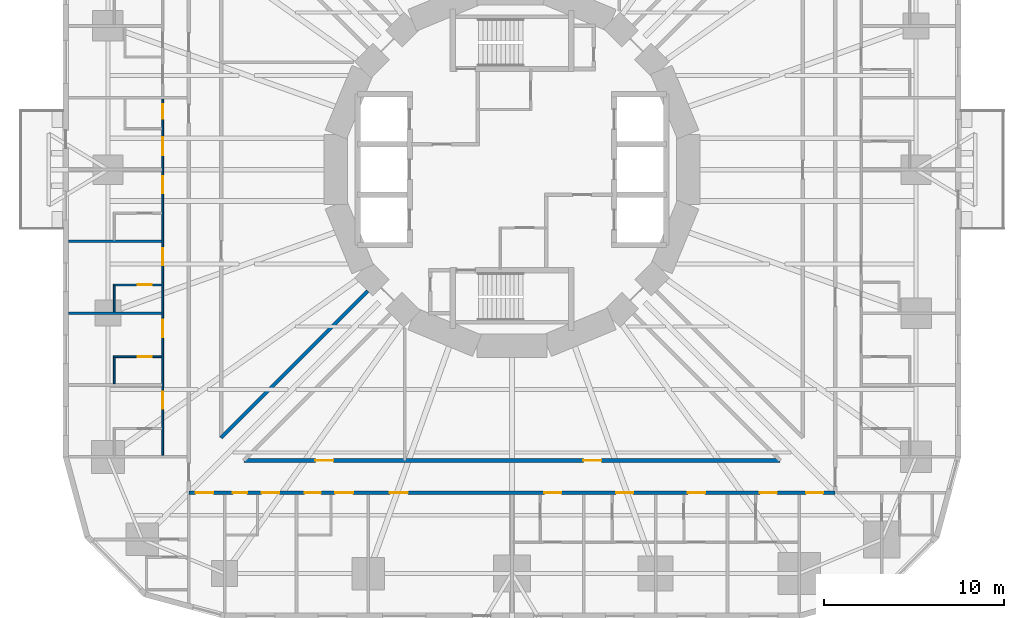
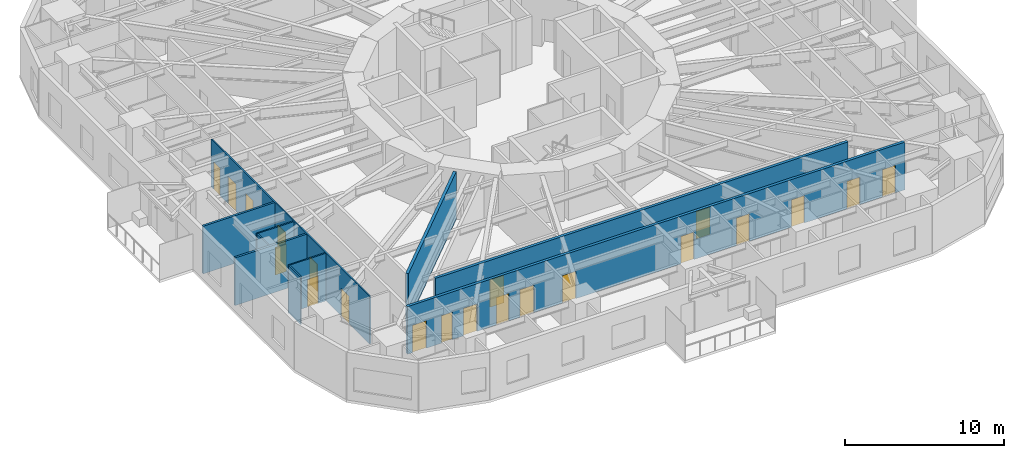
# One storey, part 5 of 14: 21 doors, 10 walls, 21 openings.
"""IFC4 building model written with IfcOpenShell, lengths in metres."""

import ifcopenshell
import ifcopenshell.guid

model = None  # the IFC model being written
_history = None  # IfcOwnerHistory: only IFC2X3 demands one
_inside = {}  # id of a spatial element -> (the spatial element, [elements in it])
_under = {}  # id of a project, library or spatial element -> (it, [spatial elements below it])
_declared = {}  # id of a project -> (the project, [libraries it declares])
_typed = {}  # id of a type object -> (the type object, [elements of that type])
_made_of = {}  # id of a material, layer set ... -> (it, [elements and type objects made of it])


def new_model(schema):
    """Start an empty IFC model of exactly this schema.

    Asked for "IFC4X3", IfcOpenShell would pick the latest addendum, in which some entities
    have other attributes; the version numbers below select the first issue.
    IFC2X3 requires an IfcOwnerHistory on every rooted entity: one is made here for all.
    """
    global model, _history
    if schema == "IFC4X3":
        model = ifcopenshell.file(schema_version=(4, 3, 0, 0))
    else:
        model = ifcopenshell.file(schema=schema)
    _inside.clear()
    _under.clear()
    _declared.clear()
    _typed.clear()
    _made_of.clear()
    _history = None
    if model.schema == "IFC2X3":
        org = make("IfcOrganization", Name="unknown")
        user = make(
            "IfcPersonAndOrganization",
            ThePerson=make("IfcPerson", FamilyName="unknown"),
            TheOrganization=org,
        )
        app = make(
            "IfcApplication",
            ApplicationDeveloper=org,
            Version="unknown",
            ApplicationFullName="unknown",
            ApplicationIdentifier="unknown",
        )
        _history = make(
            "IfcOwnerHistory",
            OwningUser=user,
            OwningApplication=app,
            ChangeAction="ADDED",
            CreationDate=0,
        )
    return model


def make(cls, **values):
    """One entity of the class cls with the attributes given. An attribute that is None is left unset."""
    return model.create_entity(
        cls, **{name: value for name, value in values.items() if value is not None}
    )


def rooted(cls, **values):
    """An entity with a GlobalId (a new one), such as an element, a storey or a relation."""
    return make(cls, GlobalId=ifcopenshell.guid.new(), OwnerHistory=_history, **values)


def si_unit(unit_type, name, prefix=None):
    """IfcSIUnit, for example si_unit("LENGTHUNIT", "METRE", prefix="MILLI")."""
    return make("IfcSIUnit", UnitType=unit_type, Prefix=prefix, Name=name)


def assignment(units):
    """IfcUnitAssignment: the units of a project."""
    return None if units is None else make("IfcUnitAssignment", Units=units)


def point(xyz):
    """IfcCartesianPoint."""
    return None if xyz is None else make("IfcCartesianPoint", Coordinates=xyz)


def direction(xyz):
    """IfcDirection."""
    return None if xyz is None else make("IfcDirection", DirectionRatios=xyz)


def frame(location, z_axis=None, x_axis=None):
    """IfcAxis2Placement3D, a coordinate frame: its origin and axes. An axis left out is left unset."""
    return make(
        "IfcAxis2Placement3D",
        Location=point(location),
        Axis=direction(z_axis),
        RefDirection=direction(x_axis),
    )


def frame_2d(location, x_axis=None):
    """IfcAxis2Placement2D, a coordinate frame in the plane: its origin and x axis."""
    return make(
        "IfcAxis2Placement2D", Location=point(location), RefDirection=direction(x_axis)
    )


def origin():
    """The frame at (0, 0, 0) with its axes left unset."""
    return frame((0.0, 0.0, 0.0))


def place(relative_to, where):
    """IfcLocalPlacement: puts the frame where relative to a parent placement (None: the world)."""
    return make(
        "IfcLocalPlacement", PlacementRelTo=relative_to, RelativePlacement=where
    )


def context(
    kind, dimensions, precision=None, world=None, true_north=None, identifier=None
):
    """IfcGeometricRepresentationContext, for example the 3D "Model" context."""
    return make(
        "IfcGeometricRepresentationContext",
        ContextIdentifier=identifier,
        ContextType=kind,
        CoordinateSpaceDimension=dimensions,
        Precision=precision,
        WorldCoordinateSystem=world,
        TrueNorth=true_north,
    )


def subcontext(parent, identifier, kind, view, scale=None):
    """IfcGeometricRepresentationSubContext, for example "Body" below "Model"."""
    return make(
        "IfcGeometricRepresentationSubContext",
        ContextIdentifier=identifier,
        ContextType=kind,
        ParentContext=parent,
        TargetScale=scale,
        TargetView=view,
    )


def project(units=None, contexts=None):
    """IfcProject with its units and contexts."""
    return rooted(
        "IfcProject",
        Name="project",
        RepresentationContexts=contexts,
        UnitsInContext=assignment(units),
    )


def spatial(cls, under=None, at=None, **own):
    """A site, building, storey or space (cls), placed at a placement, below another one or the project."""
    s = rooted(cls, ObjectPlacement=at, **own)
    if under is not None:
        _under.setdefault(under.id(), (under, []))[1].append(s)
    return s


def profile(cls, at=None, kind="AREA", **sizes):
    """A parametric profile (cls). Its sizes go by their IFC names, for example OverallWidth=200.0."""
    return make(cls, ProfileType=kind, Position=at, **sizes)


def rectangle(**sizes):
    """IfcRectangleProfileDef."""
    return profile("IfcRectangleProfileDef", **sizes)


def extrude(swept, where, along, depth):
    """IfcExtrudedAreaSolid: the profile swept, set in the frame where, extruded along a direction by depth."""
    return make(
        "IfcExtrudedAreaSolid",
        SweptArea=swept,
        Position=where,
        ExtrudedDirection=direction(along),
        Depth=depth,
    )


def shape(context_of_items, identifier, shape_type, items):
    """IfcShapeRepresentation: the items that make up one representation, for example the "Body"."""
    return make(
        "IfcShapeRepresentation",
        ContextOfItems=context_of_items,
        RepresentationIdentifier=identifier,
        RepresentationType=shape_type,
        Items=items,
    )


def material(Name=None, Category=None):
    """IfcMaterial."""
    return make("IfcMaterial", Name=Name, Category=Category)


def layer(
    of_material, thickness, ventilated=None, Name=None, Category=None, Priority=None
):
    """IfcMaterialLayer: one layer of a wall or slab, of a material (None: an air gap)."""
    return make(
        "IfcMaterialLayer",
        Material=of_material,
        LayerThickness=thickness,
        IsVentilated=ventilated,
        Name=Name,
        Category=Category,
        Priority=Priority,
    )


def layer_set(layers, Name=None):
    """IfcMaterialLayerSet."""
    return make("IfcMaterialLayerSet", MaterialLayers=layers, LayerSetName=Name)


def made_of(thing, what):
    """Note that an element or type object is made of a material, layer set ...; save() writes the relation."""
    if what is not None:
        _made_of.setdefault(what.id(), (what, []))[1].append(thing)
    return thing


def type_object(cls, material=None, **own):
    """A type object (cls), such as IfcWallType, which elements share."""
    return made_of(rooted(cls, **own), material)


def element(
    cls,
    number,
    at=None,
    inside=None,
    cuts=None,
    type_object=None,
    material=None,
    context=None,
    identifier="Body",
    shape_type=None,
    held_by="IfcProductDefinitionShape",
    body=None,
    shapes=None,
    **own,
):
    """One element of the class cls, such as IfcWall. Its Tag is "e" and its number.

    at: its placement. inside: the storey or other place that contains it. cuts: it is an
    opening in that element (IfcRelVoidsElement). A single representation is given by context,
    identifier, shape_type and body (its items); several are given by shapes. held_by: the class
    of the entity that holds the representations. save() writes the other relations.
    """
    e = rooted(cls, Tag="e%d" % number, ObjectPlacement=at, **own)
    if body is not None:
        shapes = [shape(context, identifier, shape_type, body)]
    if shapes is not None:
        e.Representation = make(held_by, Representations=shapes)
    if inside is not None:
        _inside.setdefault(inside.id(), (inside, []))[1].append(e)
    if cuts is not None:
        rooted(
            "IfcRelVoidsElement", RelatingBuildingElement=cuts, RelatedOpeningElement=e
        )
    if type_object is not None:
        _typed.setdefault(type_object.id(), (type_object, []))[1].append(e)
    return made_of(e, material)


def fill(opening, filler):
    """IfcRelFillsElement: the door or window that sits in an opening."""
    return rooted(
        "IfcRelFillsElement",
        RelatingOpeningElement=opening,
        RelatedBuildingElement=filler,
    )


def aggregate(whole, parts):
    """IfcRelAggregates: a whole, such as a stair, and the parts it consists of."""
    return rooted("IfcRelAggregates", RelatingObject=whole, RelatedObjects=parts)


def save(model, path):
    """Write the relations noted so far, then the file.

    IfcRelAggregates (storeys below a building ...), IfcRelContainedInSpatialStructure (elements
    in a storey), IfcRelDefinesByType, IfcRelAssociatesMaterial and IfcRelDeclares: one each for
    every whole, place, type object, material and project.
    """
    for whole, parts in _under.values():
        aggregate(whole, parts)
    for where, things in _inside.values():
        rooted(
            "IfcRelContainedInSpatialStructure",
            RelatedElements=things,
            RelatingStructure=where,
        )
    for kind, things in _typed.values():
        rooted("IfcRelDefinesByType", RelatedObjects=things, RelatingType=kind)
    for what, things in _made_of.values():
        rooted("IfcRelAssociatesMaterial", RelatedObjects=things, RelatingMaterial=what)
    for by, libraries in _declared.values():
        rooted("IfcRelDeclares", RelatingContext=by, RelatedDefinitions=libraries)
    model.write(path)


model = new_model("IFC4")

# Units and contexts
model_context = context("Model", 3, precision=1e-05, world=origin(), true_north=direction((0.0, 1.0)))
body_context = subcontext(model_context, "Body", "Model", "MODEL_VIEW")
ifc_project = project(units=[si_unit("LENGTHUNIT", "METRE"), si_unit("AREAUNIT", "SQUARE_METRE"), si_unit("VOLUMEUNIT", "CUBIC_METRE"), si_unit("PLANEANGLEUNIT", "RADIAN"), si_unit("MASSUNIT", "GRAM", prefix="KILO")], contexts=[model_context])

# Site, building, storey
site_placement = place(None, origin())
site = spatial("IfcSite", under=ifc_project, at=site_placement, CompositionType="ELEMENT")
building_placement = place(site_placement, origin())
building = spatial("IfcBuilding", under=site, at=building_placement, Name="Nakasero Lantern House", CompositionType="ELEMENT")
storey_placement = place(building_placement, frame((0.0, 0.0, 27.550048828125)))
storey = spatial("IfcBuildingStorey", under=building, at=storey_placement, Name="L06", CompositionType="ELEMENT", Elevation=27.550048828125)

# Wall, openings, doors
ifc_material_1 = material(Name="Blockwork", Category="masonry")
ifc_layer_1 = layer(ifc_material_1, 0.10009765625)
ifc_layer_set_1 = layer_set([ifc_layer_1], Name="Cluster hall wall 100")
wall_type_1 = type_object("IfcWallType", Name="Cluster hall wall 100", PredefinedType="PARTITIONING", material=ifc_layer_set_1)
wall_1_placement = place(storey_placement, frame((-19.449951171875, 3.925048828125, 0.0), z_axis=(0.0, 0.0, 1.0), x_axis=(0.0, -1.0, 0.0)))
wall_1 = element("IfcWall", 1, at=wall_1_placement, inside=storey, type_object=wall_type_1, Name="Cluster hall wall L06 HW2-1", PredefinedType="PARTITIONING", context=body_context, shape_type="SweptSolid", body=[
    extrude(rectangle(XDim=19.85009765625, YDim=0.10009765625, at=frame_2d((9.925048828125, 0.0))), origin(), (0.0, 0.0, 1.0), 3.64990234375),
])
opening_1_placement = place(wall_1_placement, frame((2.125, 0.0, 0.0)))
opening_1 = element("IfcOpeningElement", 2, at=opening_1_placement, cuts=wall_1, Name="Opening D03", PredefinedType="OPENING", context=body_context, shape_type="SweptSolid", body=[
    extrude(rectangle(XDim=1.0, YDim=2.10009765625, at=frame_2d((0.5, 1.050048828125))), frame((0.0, 0.070068359375, 0.0), z_axis=(0.0, -1.0, 0.0), x_axis=(1.0, 0.0, 0.0)), (0.0, 0.0, 1.0), 0.14013671875),
])
opening_2_placement = place(wall_1_placement, frame((0.300048828125, 0.0, 0.0)))
opening_2 = element("IfcOpeningElement", 3, at=opening_2_placement, cuts=wall_1, Name="Opening D02", PredefinedType="OPENING", context=body_context, shape_type="SweptSolid", body=[
    extrude(rectangle(XDim=0.800048828125, YDim=2.10009765625, at=frame_2d((0.39990234375, 1.050048828125))), frame((0.0, 0.070068359375, 0.0), z_axis=(0.0, -1.0, 0.0), x_axis=(1.0, 0.0, 0.0)), (0.0, 0.0, 1.0), 0.14013671875),
])
opening_3_placement = place(wall_1_placement, frame((4.300048828125, 0.0, 0.0)))
opening_3 = element("IfcOpeningElement", 4, at=opening_3_placement, cuts=wall_1, Name="Opening D01", PredefinedType="OPENING", context=body_context, shape_type="SweptSolid", body=[
    extrude(rectangle(XDim=0.949951171875, YDim=2.10009765625, at=frame_2d((0.47509765625, 1.050048828125))), frame((0.0, 0.070068359375, 0.0), z_axis=(0.0, -1.0, 0.0), x_axis=(1.0, 0.0, 0.0)), (0.0, 0.0, 1.0), 0.14013671875),
])
opening_4_placement = place(wall_1_placement, frame((8.300048828125, 0.0, 0.0)))
opening_4 = element("IfcOpeningElement", 5, at=opening_4_placement, cuts=wall_1, Name="Opening D01", PredefinedType="OPENING", context=body_context, shape_type="SweptSolid", body=[
    extrude(rectangle(XDim=0.949951171875, YDim=2.10009765625, at=frame_2d((0.47509765625, 1.050048828125))), frame((0.0, 0.070068359375, 0.0), z_axis=(0.0, -1.0, 0.0), x_axis=(1.0, 0.0, 0.0)), (0.0, 0.0, 1.0), 0.14013671875),
])
opening_5_placement = place(wall_1_placement, frame((12.300048828125, 0.0, 0.0)))
opening_5 = element("IfcOpeningElement", 6, at=opening_5_placement, cuts=wall_1, Name="Opening D01", PredefinedType="OPENING", context=body_context, shape_type="SweptSolid", body=[
    extrude(rectangle(XDim=0.949951171875, YDim=2.10009765625, at=frame_2d((0.47509765625, 1.050048828125))), frame((0.0, 0.070068359375, 0.0), z_axis=(0.0, -1.0, 0.0), x_axis=(1.0, 0.0, 0.0)), (0.0, 0.0, 1.0), 0.14013671875),
])
opening_6_placement = place(wall_1_placement, frame((16.300048828125, 0.0, 0.0)))
opening_6 = element("IfcOpeningElement", 7, at=opening_6_placement, cuts=wall_1, Name="Opening D01", PredefinedType="OPENING", context=body_context, shape_type="SweptSolid", body=[
    extrude(rectangle(XDim=0.949951171875, YDim=2.10009765625, at=frame_2d((0.47509765625, 1.050048828125))), frame((0.0, 0.070068359375, 0.0), z_axis=(0.0, -1.0, 0.0), x_axis=(1.0, 0.0, 0.0)), (0.0, 0.0, 1.0), 0.14013671875),
])
ifc_material_2 = material(Name="Timber C24", Category="wood")
door_type_1 = type_object("IfcDoorType", Name="Bedroom door FD30S 950", OperationType="SINGLE_SWING_LEFT", PredefinedType="DOOR", material=ifc_material_2)
door_1_placement = place(opening_3_placement, origin())
door_1 = element("IfcDoor", 8, at=door_1_placement, inside=storey, type_object=door_type_1, Name="Door L06 D2-05", OperationType="SINGLE_SWING_LEFT", OverallHeight=2.10009765625, OverallWidth=0.949951171875, PredefinedType="DOOR", context=body_context, shape_type="SweptSolid", body=[
    extrude(rectangle(XDim=0.949951171875, YDim=2.10009765625, at=frame_2d((0.47509765625, 1.050048828125))), frame((0.0, 0.02490234375, 0.0), z_axis=(0.0, -1.0, 0.0), x_axis=(1.0, 0.0, 0.0)), (0.0, 0.0, 1.0), 0.050048828125),
])
fill(opening_3, door_1)
door_2_placement = place(opening_4_placement, origin())
door_2 = element("IfcDoor", 9, at=door_2_placement, inside=storey, type_object=door_type_1, Name="Door L06 D2-06", OperationType="SINGLE_SWING_LEFT", OverallHeight=2.10009765625, OverallWidth=0.949951171875, PredefinedType="DOOR", context=body_context, shape_type="SweptSolid", body=[
    extrude(rectangle(XDim=0.949951171875, YDim=2.10009765625, at=frame_2d((0.47509765625, 1.050048828125))), frame((0.0, 0.02490234375, 0.0), z_axis=(0.0, -1.0, 0.0), x_axis=(1.0, 0.0, 0.0)), (0.0, 0.0, 1.0), 0.050048828125),
])
fill(opening_4, door_2)
door_3_placement = place(opening_5_placement, origin())
door_3 = element("IfcDoor", 10, at=door_3_placement, inside=storey, type_object=door_type_1, Name="Door L06 D2-07", OperationType="SINGLE_SWING_RIGHT", OverallHeight=2.10009765625, OverallWidth=0.949951171875, PredefinedType="DOOR", context=body_context, shape_type="SweptSolid", body=[
    extrude(rectangle(XDim=0.949951171875, YDim=2.10009765625, at=frame_2d((0.47509765625, 1.050048828125))), frame((0.0, 0.02490234375, 0.0), z_axis=(0.0, -1.0, 0.0), x_axis=(1.0, 0.0, 0.0)), (0.0, 0.0, 1.0), 0.050048828125),
])
fill(opening_5, door_3)
door_4_placement = place(opening_6_placement, origin())
door_4 = element("IfcDoor", 11, at=door_4_placement, inside=storey, type_object=door_type_1, Name="Door L06 D2-08", OperationType="SINGLE_SWING_RIGHT", OverallHeight=2.10009765625, OverallWidth=0.949951171875, PredefinedType="DOOR", context=body_context, shape_type="SweptSolid", body=[
    extrude(rectangle(XDim=0.949951171875, YDim=2.10009765625, at=frame_2d((0.47509765625, 1.050048828125))), frame((0.0, 0.02490234375, 0.0), z_axis=(0.0, -1.0, 0.0), x_axis=(1.0, 0.0, 0.0)), (0.0, 0.0, 1.0), 0.050048828125),
])
fill(opening_6, door_4)
ifc_material_3 = material(Name="Timber C24", Category="wood")
door_type_2 = type_object("IfcDoorType", Name="En-suite door 800", OperationType="SINGLE_SWING_RIGHT", PredefinedType="DOOR", material=ifc_material_3)
door_5_placement = place(opening_2_placement, origin())
door_5 = element("IfcDoor", 12, at=door_5_placement, inside=storey, type_object=door_type_2, Name="Door L06 DSH2-1", OperationType="SINGLE_SWING_LEFT", OverallHeight=2.10009765625, OverallWidth=0.800048828125, PredefinedType="DOOR", context=body_context, shape_type="SweptSolid", body=[
    extrude(rectangle(XDim=0.800048828125, YDim=2.10009765625, at=frame_2d((0.39990234375, 1.050048828125))), frame((0.0, 0.02490234375, 0.0), z_axis=(0.0, -1.0, 0.0), x_axis=(1.0, 0.0, 0.0)), (0.0, 0.0, 1.0), 0.050048828125),
])
fill(opening_2, door_5)
ifc_material_4 = material(Name="Timber C24", Category="wood")
door_type_3 = type_object("IfcDoorType", Name="Lounge door FD30S 1000", OperationType="SINGLE_SWING_LEFT", PredefinedType="DOOR", material=ifc_material_4)
door_6_placement = place(opening_1_placement, origin())
door_6 = element("IfcDoor", 13, at=door_6_placement, inside=storey, type_object=door_type_3, Name="Door L06 DH2-1", OperationType="SINGLE_SWING_LEFT", OverallHeight=2.10009765625, OverallWidth=1.0, PredefinedType="DOOR", context=body_context, shape_type="SweptSolid", body=[
    extrude(rectangle(XDim=1.0, YDim=2.10009765625, at=frame_2d((0.5, 1.050048828125))), frame((0.0, 0.02490234375, 0.0), z_axis=(0.0, -1.0, 0.0), x_axis=(1.0, 0.0, 0.0)), (0.0, 0.0, 1.0), 0.050048828125),
])
fill(opening_1, door_6)

ifc_material_5 = material(Name="Blockwork", Category="masonry")
ifc_layer_2 = layer(ifc_material_5, 0.199951171875)
ifc_layer_set_2 = layer_set([ifc_layer_2], Name="Corridor wall 200")
wall_type_2 = type_object("IfcWallType", Name="Corridor wall 200", PredefinedType="PARTITIONING", material=ifc_layer_set_2)
wall_2_placement = place(storey_placement, frame((-18.0, -18.0, 0.0), z_axis=(0.0, 0.0, 1.0), x_axis=(1.0, 0.0, 0.0)))
wall_2 = element("IfcWall", 14, at=wall_2_placement, inside=storey, type_object=wall_type_2, Name="Corridor wall L06 CW3", PredefinedType="PARTITIONING", context=body_context, shape_type="SweptSolid", body=[
    extrude(rectangle(XDim=36.0, YDim=0.199951171875, at=frame_2d((18.0, 0.0))), origin(), (0.0, 0.0, 1.0), 3.64990234375),
])
opening_7_placement = place(wall_2_placement, frame((0.375, 0.0, 0.0)))
opening_7 = element("IfcOpeningElement", 15, at=opening_7_placement, cuts=wall_2, Name="Opening D07", PredefinedType="OPENING", context=body_context, shape_type="SweptSolid", body=[
    extrude(rectangle(XDim=1.0, YDim=2.10009765625, at=frame_2d((0.5, 1.050048828125))), frame((0.0, 0.119873046875, 0.0), z_axis=(0.0, -1.0, 0.0), x_axis=(1.0, 0.0, 0.0)), (0.0, 0.0, 1.0), 0.239990234375),
])
opening_8_placement = place(wall_2_placement, frame((2.449951171875, 0.0, 0.0)))
opening_8 = element("IfcOpeningElement", 16, at=opening_8_placement, cuts=wall_2, Name="Opening D15", PredefinedType="OPENING", context=body_context, shape_type="SweptSolid", body=[
    extrude(rectangle(XDim=0.800048828125, YDim=2.10009765625, at=frame_2d((0.39990234375, 1.050048828125))), frame((0.0, 0.119873046875, 0.0), z_axis=(0.0, -1.0, 0.0), x_axis=(1.0, 0.0, 0.0)), (0.0, 0.0, 1.0), 0.239990234375),
])
opening_9_placement = place(wall_2_placement, frame((4.050048828125, 0.0, 0.0)))
opening_9 = element("IfcOpeningElement", 17, at=opening_9_placement, cuts=wall_2, Name="Opening D07", PredefinedType="OPENING", context=body_context, shape_type="SweptSolid", body=[
    extrude(rectangle(XDim=1.0, YDim=2.10009765625, at=frame_2d((0.5, 1.050048828125))), frame((0.0, 0.119873046875, 0.0), z_axis=(0.0, -1.0, 0.0), x_axis=(1.0, 0.0, 0.0)), (0.0, 0.0, 1.0), 0.239990234375),
])
opening_10_placement = place(wall_2_placement, frame((6.449951171875, 0.0, 0.0)))
opening_10 = element("IfcOpeningElement", 18, at=opening_10_placement, cuts=wall_2, Name="Opening D16", PredefinedType="OPENING", context=body_context, shape_type="SweptSolid", body=[
    extrude(rectangle(XDim=0.89990234375, YDim=2.10009765625, at=frame_2d((0.449951171875, 1.050048828125))), frame((0.0, 0.119873046875, 0.0), z_axis=(0.0, -1.0, 0.0), x_axis=(1.0, 0.0, 0.0)), (0.0, 0.0, 1.0), 0.239990234375),
])
opening_11_placement = place(wall_2_placement, frame((8.14990234375, 0.0, 0.0)))
opening_11 = element("IfcOpeningElement", 19, at=opening_11_placement, cuts=wall_2, Name="Opening D07", PredefinedType="OPENING", context=body_context, shape_type="SweptSolid", body=[
    extrude(rectangle(XDim=1.0, YDim=2.10009765625, at=frame_2d((0.5, 1.050048828125))), frame((0.0, 0.119873046875, 0.0), z_axis=(0.0, -1.0, 0.0), x_axis=(1.0, 0.0, 0.0)), (0.0, 0.0, 1.0), 0.239990234375),
])
opening_12_placement = place(wall_2_placement, frame((19.800048828125, 0.0, 0.0)))
opening_12 = element("IfcOpeningElement", 20, at=opening_12_placement, cuts=wall_2, Name="Opening D01", PredefinedType="OPENING", context=body_context, shape_type="SweptSolid", body=[
    extrude(rectangle(XDim=0.949951171875, YDim=2.10009765625, at=frame_2d((0.47509765625, 1.050048828125))), frame((0.0, 0.119873046875, 0.0), z_axis=(0.0, -1.0, 0.0), x_axis=(1.0, 0.0, 0.0)), (0.0, 0.0, 1.0), 0.239990234375),
])
opening_13_placement = place(wall_2_placement, frame((23.800048828125, 0.0, 0.0)))
opening_13 = element("IfcOpeningElement", 21, at=opening_13_placement, cuts=wall_2, Name="Opening D01", PredefinedType="OPENING", context=body_context, shape_type="SweptSolid", body=[
    extrude(rectangle(XDim=0.949951171875, YDim=2.10009765625, at=frame_2d((0.47509765625, 1.050048828125))), frame((0.0, 0.119873046875, 0.0), z_axis=(0.0, -1.0, 0.0), x_axis=(1.0, 0.0, 0.0)), (0.0, 0.0, 1.0), 0.239990234375),
])
opening_14_placement = place(wall_2_placement, frame((27.800048828125, 0.0, 0.0)))
opening_14 = element("IfcOpeningElement", 22, at=opening_14_placement, cuts=wall_2, Name="Opening D01", PredefinedType="OPENING", context=body_context, shape_type="SweptSolid", body=[
    extrude(rectangle(XDim=0.949951171875, YDim=2.10009765625, at=frame_2d((0.47509765625, 1.050048828125))), frame((0.0, 0.119873046875, 0.0), z_axis=(0.0, -1.0, 0.0), x_axis=(1.0, 0.0, 0.0)), (0.0, 0.0, 1.0), 0.239990234375),
])
opening_15_placement = place(wall_2_placement, frame((31.800048828125, 0.0, 0.0)))
opening_15 = element("IfcOpeningElement", 23, at=opening_15_placement, cuts=wall_2, Name="Opening D01", PredefinedType="OPENING", context=body_context, shape_type="SweptSolid", body=[
    extrude(rectangle(XDim=0.949951171875, YDim=2.10009765625, at=frame_2d((0.47509765625, 1.050048828125))), frame((0.0, 0.119873046875, 0.0), z_axis=(0.0, -1.0, 0.0), x_axis=(1.0, 0.0, 0.0)), (0.0, 0.0, 1.0), 0.239990234375),
])
opening_16_placement = place(wall_2_placement, frame((34.375, 0.0, 0.0)))
opening_16 = element("IfcOpeningElement", 24, at=opening_16_placement, cuts=wall_2, Name="Opening D01", PredefinedType="OPENING", context=body_context, shape_type="SweptSolid", body=[
    extrude(rectangle(XDim=0.949951171875, YDim=2.10009765625, at=frame_2d((0.47509765625, 1.050048828125))), frame((0.0, 0.119873046875, 0.0), z_axis=(0.0, -1.0, 0.0), x_axis=(1.0, 0.0, 0.0)), (0.0, 0.0, 1.0), 0.239990234375),
])
opening_17_placement = place(wall_2_placement, frame((11.199951171875, 0.0, 0.0)))
opening_17 = element("IfcOpeningElement", 25, at=opening_17_placement, cuts=wall_2, Name="Opening D03", PredefinedType="OPENING", context=body_context, shape_type="SweptSolid", body=[
    extrude(rectangle(XDim=1.0, YDim=2.10009765625, at=frame_2d((0.5, 1.050048828125))), frame((0.0, 0.119873046875, 0.0), z_axis=(0.0, -1.0, 0.0), x_axis=(1.0, 0.0, 0.0)), (0.0, 0.0, 1.0), 0.239990234375),
])
ifc_material_6 = material(Name="Timber C24", Category="wood")
door_type_4 = type_object("IfcDoorType", Name="Accessible WC door 900", OperationType="SINGLE_SWING_RIGHT", PredefinedType="DOOR", material=ifc_material_6)
door_7_placement = place(opening_10_placement, origin())
door_7 = element("IfcDoor", 26, at=door_7_placement, inside=storey, type_object=door_type_4, Name="Door L06 DS3-02", OperationType="SINGLE_SWING_LEFT", OverallHeight=2.10009765625, OverallWidth=0.89990234375, PredefinedType="DOOR", context=body_context, shape_type="SweptSolid", body=[
    extrude(rectangle(XDim=0.89990234375, YDim=2.10009765625, at=frame_2d((0.449951171875, 1.050048828125))), frame((0.0, 0.02490234375, 0.0), z_axis=(0.0, -1.0, 0.0), x_axis=(1.0, 0.0, 0.0)), (0.0, 0.0, 1.0), 0.050048828125),
])
fill(opening_10, door_7)
door_8_placement = place(opening_12_placement, origin())
door_8 = element("IfcDoor", 27, at=door_8_placement, inside=storey, type_object=door_type_1, Name="Door L06 D3-05", OperationType="SINGLE_SWING_RIGHT", OverallHeight=2.10009765625, OverallWidth=0.949951171875, PredefinedType="DOOR", context=body_context, shape_type="SweptSolid", body=[
    extrude(rectangle(XDim=0.949951171875, YDim=2.10009765625, at=frame_2d((0.47509765625, 1.050048828125))), frame((0.0, 0.02490234375, 0.0), z_axis=(0.0, -1.0, 0.0), x_axis=(1.0, 0.0, 0.0)), (0.0, 0.0, 1.0), 0.050048828125),
])
fill(opening_12, door_8)
door_9_placement = place(opening_13_placement, origin())
door_9 = element("IfcDoor", 28, at=door_9_placement, inside=storey, type_object=door_type_1, Name="Door L06 D3-06", OperationType="SINGLE_SWING_RIGHT", OverallHeight=2.10009765625, OverallWidth=0.949951171875, PredefinedType="DOOR", context=body_context, shape_type="SweptSolid", body=[
    extrude(rectangle(XDim=0.949951171875, YDim=2.10009765625, at=frame_2d((0.47509765625, 1.050048828125))), frame((0.0, 0.02490234375, 0.0), z_axis=(0.0, -1.0, 0.0), x_axis=(1.0, 0.0, 0.0)), (0.0, 0.0, 1.0), 0.050048828125),
])
fill(opening_13, door_9)
door_10_placement = place(opening_14_placement, origin())
door_10 = element("IfcDoor", 29, at=door_10_placement, inside=storey, type_object=door_type_1, Name="Door L06 D3-07", OperationType="SINGLE_SWING_RIGHT", OverallHeight=2.10009765625, OverallWidth=0.949951171875, PredefinedType="DOOR", context=body_context, shape_type="SweptSolid", body=[
    extrude(rectangle(XDim=0.949951171875, YDim=2.10009765625, at=frame_2d((0.47509765625, 1.050048828125))), frame((0.0, 0.02490234375, 0.0), z_axis=(0.0, -1.0, 0.0), x_axis=(1.0, 0.0, 0.0)), (0.0, 0.0, 1.0), 0.050048828125),
])
fill(opening_14, door_10)
door_11_placement = place(opening_15_placement, origin())
door_11 = element("IfcDoor", 30, at=door_11_placement, inside=storey, type_object=door_type_1, Name="Door L06 D3-08", OperationType="SINGLE_SWING_RIGHT", OverallHeight=2.10009765625, OverallWidth=0.949951171875, PredefinedType="DOOR", context=body_context, shape_type="SweptSolid", body=[
    extrude(rectangle(XDim=0.949951171875, YDim=2.10009765625, at=frame_2d((0.47509765625, 1.050048828125))), frame((0.0, 0.02490234375, 0.0), z_axis=(0.0, -1.0, 0.0), x_axis=(1.0, 0.0, 0.0)), (0.0, 0.0, 1.0), 0.050048828125),
])
fill(opening_15, door_11)
door_12_placement = place(opening_16_placement, origin())
door_12 = element("IfcDoor", 31, at=door_12_placement, inside=storey, type_object=door_type_1, Name="Door L06 D3-09", OperationType="SINGLE_SWING_RIGHT", OverallHeight=2.10009765625, OverallWidth=0.949951171875, PredefinedType="DOOR", context=body_context, shape_type="SweptSolid", body=[
    extrude(rectangle(XDim=0.949951171875, YDim=2.10009765625, at=frame_2d((0.47509765625, 1.050048828125))), frame((0.0, 0.02490234375, 0.0), z_axis=(0.0, -1.0, 0.0), x_axis=(1.0, 0.0, 0.0)), (0.0, 0.0, 1.0), 0.050048828125),
])
fill(opening_16, door_12)
ifc_material_7 = material(Name="Timber C24", Category="wood")
door_type_5 = type_object("IfcDoorType", Name="Cleaner's store door FD30S 800", OperationType="SINGLE_SWING_LEFT", PredefinedType="DOOR", material=ifc_material_7)
door_13_placement = place(opening_8_placement, origin())
door_13 = element("IfcDoor", 32, at=door_13_placement, inside=storey, type_object=door_type_5, Name="Door L06 DS3-01", OperationType="SINGLE_SWING_LEFT", OverallHeight=2.10009765625, OverallWidth=0.800048828125, PredefinedType="DOOR", context=body_context, shape_type="SweptSolid", body=[
    extrude(rectangle(XDim=0.800048828125, YDim=2.10009765625, at=frame_2d((0.39990234375, 1.050048828125))), frame((0.0, 0.02490234375, 0.0), z_axis=(0.0, -1.0, 0.0), x_axis=(1.0, 0.0, 0.0)), (0.0, 0.0, 1.0), 0.050048828125),
])
fill(opening_8, door_13)
door_14_placement = place(opening_17_placement, origin())
door_14 = element("IfcDoor", 33, at=door_14_placement, inside=storey, type_object=door_type_3, Name="Door L06 DK3", OperationType="SINGLE_SWING_LEFT", OverallHeight=2.10009765625, OverallWidth=1.0, PredefinedType="DOOR", context=body_context, shape_type="SweptSolid", body=[
    extrude(rectangle(XDim=1.0, YDim=2.10009765625, at=frame_2d((0.5, 1.050048828125))), frame((0.0, 0.02490234375, 0.0), z_axis=(0.0, -1.0, 0.0), x_axis=(1.0, 0.0, 0.0)), (0.0, 0.0, 1.0), 0.050048828125),
])
fill(opening_17, door_14)
ifc_material_8 = material(Name="Timber C24", Category="wood")
door_type_6 = type_object("IfcDoorType", Name="Room door FD30S 1000", OperationType="SINGLE_SWING_LEFT", PredefinedType="DOOR", material=ifc_material_8)
door_15_placement = place(opening_7_placement, origin())
door_15 = element("IfcDoor", 34, at=door_15_placement, inside=storey, type_object=door_type_6, Name="Door L06 D3-00", OperationType="SINGLE_SWING_LEFT", OverallHeight=2.10009765625, OverallWidth=1.0, PredefinedType="DOOR", context=body_context, shape_type="SweptSolid", body=[
    extrude(rectangle(XDim=1.0, YDim=2.10009765625, at=frame_2d((0.5, 1.050048828125))), frame((0.0, 0.02490234375, 0.0), z_axis=(0.0, -1.0, 0.0), x_axis=(1.0, 0.0, 0.0)), (0.0, 0.0, 1.0), 0.050048828125),
])
fill(opening_7, door_15)
door_16_placement = place(opening_9_placement, origin())
door_16 = element("IfcDoor", 35, at=door_16_placement, inside=storey, type_object=door_type_6, Name="Door L06 D3-01", OperationType="SINGLE_SWING_LEFT", OverallHeight=2.10009765625, OverallWidth=1.0, PredefinedType="DOOR", context=body_context, shape_type="SweptSolid", body=[
    extrude(rectangle(XDim=1.0, YDim=2.10009765625, at=frame_2d((0.5, 1.050048828125))), frame((0.0, 0.02490234375, 0.0), z_axis=(0.0, -1.0, 0.0), x_axis=(1.0, 0.0, 0.0)), (0.0, 0.0, 1.0), 0.050048828125),
])
fill(opening_9, door_16)
door_17_placement = place(opening_11_placement, origin())
door_17 = element("IfcDoor", 36, at=door_17_placement, inside=storey, type_object=door_type_6, Name="Door L06 D3-02", OperationType="SINGLE_SWING_LEFT", OverallHeight=2.10009765625, OverallWidth=1.0, PredefinedType="DOOR", context=body_context, shape_type="SweptSolid", body=[
    extrude(rectangle(XDim=1.0, YDim=2.10009765625, at=frame_2d((0.5, 1.050048828125))), frame((0.0, 0.02490234375, 0.0), z_axis=(0.0, -1.0, 0.0), x_axis=(1.0, 0.0, 0.0)), (0.0, 0.0, 1.0), 0.050048828125),
])
fill(opening_11, door_17)

wall_3_placement = place(storey_placement, frame((-14.92724609375, -16.199951171875, 0.0), z_axis=(0.0, 0.0, 1.0), x_axis=(1.0, 0.0, 0.0)))
wall_3 = element("IfcWall", 37, at=wall_3_placement, inside=storey, type_object=wall_type_2, Name="Corridor wall L06 IW3-0", PredefinedType="PARTITIONING", context=body_context, shape_type="SweptSolid", body=[
    extrude(rectangle(XDim=29.8544921875, YDim=0.199951171875, at=frame_2d((14.92724609375, 0.0))), origin(), (0.0, 0.0, 1.0), 3.64990234375),
])
opening_18_placement = place(wall_3_placement, frame((3.978271484375, 0.0, 0.0)))
opening_18 = element("IfcOpeningElement", 38, at=opening_18_placement, cuts=wall_3, Name="Opening D07", PredefinedType="OPENING", context=body_context, shape_type="SweptSolid", body=[
    extrude(rectangle(XDim=1.0, YDim=2.10009765625, at=frame_2d((0.5, 1.050048828125))), frame((0.0, 0.119873046875, 0.0), z_axis=(0.0, -1.0, 0.0), x_axis=(1.0, 0.0, 0.0)), (0.0, 0.0, 1.0), 0.239990234375),
])
opening_19_placement = place(wall_3_placement, frame((18.9052734375, 0.0, 0.0)))
opening_19 = element("IfcOpeningElement", 39, at=opening_19_placement, cuts=wall_3, Name="Opening D07", PredefinedType="OPENING", context=body_context, shape_type="SweptSolid", body=[
    extrude(rectangle(XDim=1.0, YDim=2.10009765625, at=frame_2d((0.5, 1.050048828125))), frame((0.0, 0.119873046875, 0.0), z_axis=(0.0, -1.0, 0.0), x_axis=(1.0, 0.0, 0.0)), (0.0, 0.0, 1.0), 0.239990234375),
])
door_18_placement = place(opening_18_placement, origin())
door_18 = element("IfcDoor", 40, at=door_18_placement, inside=storey, type_object=door_type_6, Name="Door L06 DI3", OperationType="SINGLE_SWING_LEFT", OverallHeight=2.10009765625, OverallWidth=1.0, PredefinedType="DOOR", context=body_context, shape_type="SweptSolid", body=[
    extrude(rectangle(XDim=1.0, YDim=2.10009765625, at=frame_2d((0.5, 1.050048828125))), frame((0.0, 0.02490234375, 0.0), z_axis=(0.0, -1.0, 0.0), x_axis=(1.0, 0.0, 0.0)), (0.0, 0.0, 1.0), 0.050048828125),
])
fill(opening_18, door_18)
door_19_placement = place(opening_19_placement, origin())
door_19 = element("IfcDoor", 41, at=door_19_placement, inside=storey, type_object=door_type_6, Name="Door L06 DI3S", OperationType="SINGLE_SWING_RIGHT", OverallHeight=2.10009765625, OverallWidth=1.0, PredefinedType="DOOR", context=body_context, shape_type="SweptSolid", body=[
    extrude(rectangle(XDim=1.0, YDim=2.10009765625, at=frame_2d((0.5, 1.050048828125))), frame((0.0, 0.02490234375, 0.0), z_axis=(0.0, -1.0, 0.0), x_axis=(1.0, 0.0, 0.0)), (0.0, 0.0, 1.0), 0.050048828125),
])
fill(opening_19, door_19)

# Wall
wall_4_placement = place(storey_placement, frame((-8.03125, -6.758544921875, 0.0), z_axis=(0.0, 0.0, 1.0), x_axis=(-0.707106781187, -0.707106781187, 0.0)))
element("IfcWall", 42, at=wall_4_placement, inside=storey, type_object=wall_type_2, Name="Corridor wall L06 PS10b", PredefinedType="PARTITIONING", context=body_context, shape_type="SweptSolid", body=[
    extrude(rectangle(XDim=11.55224609375, YDim=0.199951171875, at=frame_2d((5.776123046875, 0.0))), origin(), (0.0, 0.0, 1.0), 3.64990234375),
])

# Wall, opening, door
ifc_material_9 = material(Name="Blockwork", Category="masonry")
ifc_layer_3 = layer(ifc_material_9, 0.10009765625)
ifc_layer_set_3 = layer_set([ifc_layer_3], Name="En-suite wall 100")
wall_type_3 = type_object("IfcWallType", Name="En-suite wall 100", PredefinedType="PARTITIONING", material=ifc_layer_set_3)
wall_5_placement = place(storey_placement, frame((-19.5, -6.425048828125, 0.0), z_axis=(0.0, 0.0, 1.0), x_axis=(-1.0, 0.0, 0.0)))
wall_5 = element("IfcWall", 43, at=wall_5_placement, inside=storey, type_object=wall_type_3, Name="En-suite wall L06 ES2-06", PredefinedType="PARTITIONING", context=body_context, shape_type="SweptSolid", body=[
    extrude(rectangle(XDim=2.699951171875, YDim=0.10009765625, at=frame_2d((1.35009765625, 0.0))), origin(), (0.0, 0.0, 1.0), 3.64990234375),
])
opening_20_placement = place(wall_5_placement, frame((0.550048828125, 0.0, 0.0)))
opening_20 = element("IfcOpeningElement", 44, at=opening_20_placement, cuts=wall_5, Name="Opening D02", PredefinedType="OPENING", context=body_context, shape_type="SweptSolid", body=[
    extrude(rectangle(XDim=0.800048828125, YDim=2.10009765625, at=frame_2d((0.39990234375, 1.050048828125))), frame((0.0, 0.070068359375, 0.0), z_axis=(0.0, -1.0, 0.0), x_axis=(1.0, 0.0, 0.0)), (0.0, 0.0, 1.0), 0.14013671875),
])
door_20_placement = place(opening_20_placement, origin())
door_20 = element("IfcDoor", 45, at=door_20_placement, inside=storey, type_object=door_type_2, Name="Door L06 DE2-06", OperationType="SINGLE_SWING_LEFT", OverallHeight=2.10009765625, OverallWidth=0.800048828125, PredefinedType="DOOR", context=body_context, shape_type="SweptSolid", body=[
    extrude(rectangle(XDim=0.800048828125, YDim=2.10009765625, at=frame_2d((0.39990234375, 1.050048828125))), frame((0.0, 0.02490234375, 0.0), z_axis=(0.0, -1.0, 0.0), x_axis=(1.0, 0.0, 0.0)), (0.0, 0.0, 1.0), 0.050048828125),
])
fill(opening_20, door_20)

# Wall
wall_6_placement = place(storey_placement, frame((-22.14990234375, -6.47509765625, 0.0), z_axis=(0.0, 0.0, 1.0), x_axis=(0.0, -1.0, 0.0)))
element("IfcWall", 46, at=wall_6_placement, inside=storey, type_object=wall_type_3, Name="En-suite wall L06 EE2-06", PredefinedType="PARTITIONING", context=body_context, shape_type="SweptSolid", body=[
    extrude(rectangle(XDim=1.449951171875, YDim=0.10009765625, at=frame_2d((0.72509765625, 0.0))), origin(), (0.0, 0.0, 1.0), 3.64990234375),
])

# Wall, opening, door
wall_7_placement = place(storey_placement, frame((-19.5, -10.425048828125, 0.0), z_axis=(0.0, 0.0, 1.0), x_axis=(-1.0, 0.0, 0.0)))
wall_7 = element("IfcWall", 47, at=wall_7_placement, inside=storey, type_object=wall_type_3, Name="En-suite wall L06 ES2-07", PredefinedType="PARTITIONING", context=body_context, shape_type="SweptSolid", body=[
    extrude(rectangle(XDim=2.699951171875, YDim=0.10009765625, at=frame_2d((1.35009765625, 0.0))), origin(), (0.0, 0.0, 1.0), 3.64990234375),
])
opening_21_placement = place(wall_7_placement, frame((0.550048828125, 0.0, 0.0)))
opening_21 = element("IfcOpeningElement", 48, at=opening_21_placement, cuts=wall_7, Name="Opening D02", PredefinedType="OPENING", context=body_context, shape_type="SweptSolid", body=[
    extrude(rectangle(XDim=0.800048828125, YDim=2.10009765625, at=frame_2d((0.39990234375, 1.050048828125))), frame((0.0, 0.070068359375, 0.0), z_axis=(0.0, -1.0, 0.0), x_axis=(1.0, 0.0, 0.0)), (0.0, 0.0, 1.0), 0.14013671875),
])
door_21_placement = place(opening_21_placement, origin())
door_21 = element("IfcDoor", 49, at=door_21_placement, inside=storey, type_object=door_type_2, Name="Door L06 DE2-07", OperationType="SINGLE_SWING_LEFT", OverallHeight=2.10009765625, OverallWidth=0.800048828125, PredefinedType="DOOR", context=body_context, shape_type="SweptSolid", body=[
    extrude(rectangle(XDim=0.800048828125, YDim=2.10009765625, at=frame_2d((0.39990234375, 1.050048828125))), frame((0.0, 0.02490234375, 0.0), z_axis=(0.0, -1.0, 0.0), x_axis=(1.0, 0.0, 0.0)), (0.0, 0.0, 1.0), 0.050048828125),
])
fill(opening_21, door_21)

# Walls
wall_8_placement = place(storey_placement, frame((-22.14990234375, -10.47509765625, 0.0), z_axis=(0.0, 0.0, 1.0), x_axis=(0.0, -1.0, 0.0)))
element("IfcWall", 50, at=wall_8_placement, inside=storey, type_object=wall_type_3, Name="En-suite wall L06 EE2-07", PredefinedType="PARTITIONING", context=body_context, shape_type="SweptSolid", body=[
    extrude(rectangle(XDim=1.449951171875, YDim=0.10009765625, at=frame_2d((0.72509765625, 0.0))), origin(), (0.0, 0.0, 1.0), 3.64990234375),
])
ifc_material_10 = material(Name="Blockwork", Category="masonry")
ifc_layer_4 = layer(ifc_material_10, 0.14990234375)
ifc_layer_set_4 = layer_set([ifc_layer_4], Name="Party wall 150")
wall_type_4 = type_object("IfcWallType", Name="Party wall 150", PredefinedType="PARTITIONING", material=ifc_layer_set_4)
for number, where, z_axis, x_axis, name in (
    (51, (-19.5, -4.0, 0.0), (0.0, 0.0, 1.0), (-1.0, 0.0, 0.0), "Party wall L06 PW2-06"),
    (52, (-19.5, -8.0, 0.0), (0.0, 0.0, 1.0), (-1.0, 0.0, 0.0), "Party wall L06 PW2-07"),
):
    element("IfcWall", number, at=place(storey_placement, frame(where, z_axis=z_axis, x_axis=x_axis)), inside=storey, type_object=wall_type_4, Name=name, PredefinedType="PARTITIONING", context=body_context, shape_type="SweptSolid", body=[
        extrude(rectangle(XDim=5.199951171875, YDim=0.14990234375, at=frame_2d((2.60009765625, 0.0))), origin(), (0.0, 0.0, 1.0), 3.64990234375),
    ])

save(model, "model.ifc")
